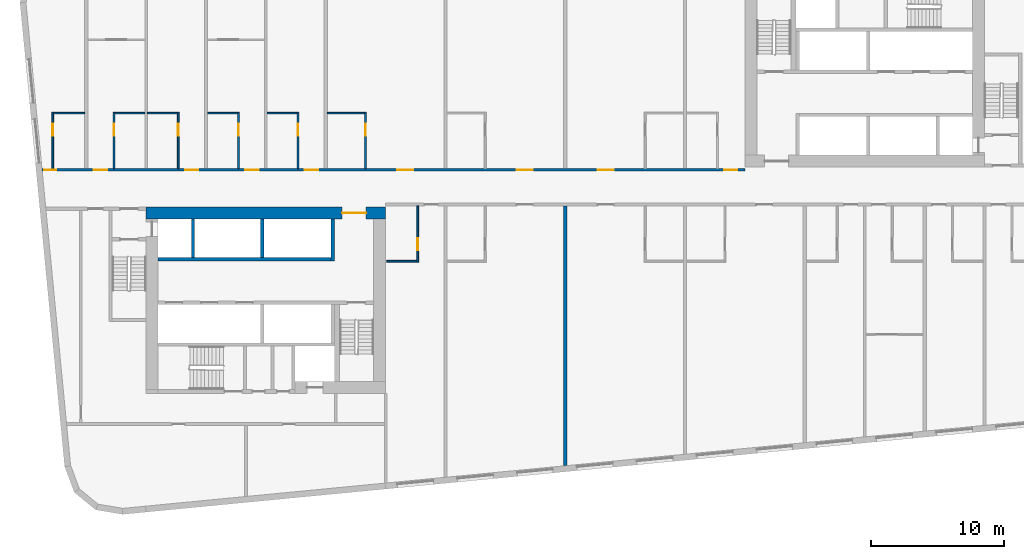
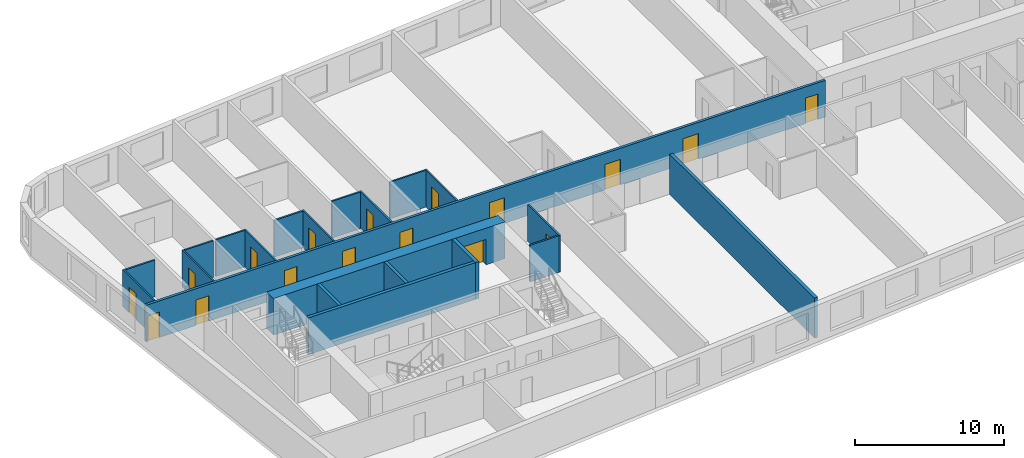
# One storey, part 3 of 12: 21 walls, 17 doors, 17 openings.
"""IFC4 building model written with IfcOpenShell, lengths in metres."""

from ifc_helpers import new_model, si_unit, direction, frame, frame_2d, origin, place, context, subcontext, project, spatial, rectangle, extrude, material, layer, layer_set, type_object, element, fill, save


model = new_model("IFC4")

# Units and contexts
model_context = context("Model", 3, precision=1e-05, world=origin(), true_north=direction((0.0, 1.0)))
body_context = subcontext(model_context, "Body", "Model", "MODEL_VIEW")
ifc_project = project(units=[si_unit("LENGTHUNIT", "METRE"), si_unit("AREAUNIT", "SQUARE_METRE"), si_unit("VOLUMEUNIT", "CUBIC_METRE"), si_unit("PLANEANGLEUNIT", "RADIAN"), si_unit("MASSUNIT", "GRAM", prefix="KILO")], contexts=[model_context])

# Site, building, storey
site_placement = place(None, origin())
site = spatial("IfcSite", under=ifc_project, at=site_placement, CompositionType="ELEMENT")
building_placement = place(site_placement, origin())
building = spatial("IfcBuilding", under=site, at=building_placement, Name="Kajstack Hotel Tower", CompositionType="ELEMENT")
storey_placement = place(building_placement, frame((0.0, 0.0, 127.300048828125)))
storey = spatial("IfcBuildingStorey", under=building, at=storey_placement, Name="L28", CompositionType="ELEMENT", Elevation=127.300048828125)

# Wall, opening, door
ifc_material_1 = material(Name="Concrete C60/75", Category="concrete")
ifc_layer_1 = layer(ifc_material_1, 0.89990234375)
ifc_layer_set_1 = layer_set([ifc_layer_1], Name="Core wall 900")
wall_type_1 = type_object("IfcWallType", Name="Core wall 900", PredefinedType="SHEAR", material=ifc_layer_set_1)
wall_1_placement = place(storey_placement, frame((-31.5, -1.949951171875, 0.0), z_axis=(0.0, 0.0, 1.0), x_axis=(1.0, 0.0, 0.0)))
wall_1 = element("IfcWall", 1, at=wall_1_placement, inside=storey, type_object=wall_type_1, Name="Core wall W RN", PredefinedType="SHEAR", context=body_context, shape_type="SweptSolid", body=[
    extrude(rectangle(XDim=18.0, YDim=0.89990234375, at=frame_2d((9.0, 0.0))), origin(), (0.0, 0.0, 1.0), 3.02001953125),
])
opening_1_placement = place(wall_1_placement, frame((14.72509765625, 0.0, 0.0)))
opening_1 = element("IfcOpeningElement", 2, at=opening_1_placement, cuts=wall_1, Name="Opening 28W06", PredefinedType="OPENING", context=body_context, shape_type="SweptSolid", body=[
    extrude(rectangle(XDim=1.800048828125, YDim=2.10009765625, at=frame_2d((0.89990234375, 1.050048828125))), frame((0.0, 0.4599609375, 0.0), z_axis=(0.0, -1.0, 0.0), x_axis=(1.0, 0.0, 0.0)), (0.0, 0.0, 1.0), 0.919921875),
])
ifc_material_2 = material(Name="Glazed steel frame, fire-rated glass", Category="steel")
door_type_1 = type_object("IfcDoorType", Name="Lobby double door 1800", OperationType="DOUBLE_DOOR_DOUBLE_SWING", PredefinedType="DOOR", material=ifc_material_2)
door_1_placement = place(opening_1_placement, origin())
door_1 = element("IfcDoor", 3, at=door_1_placement, inside=storey, type_object=door_type_1, Name="Door 28W06", OperationType="DOUBLE_DOOR_DOUBLE_SWING", OverallHeight=2.10009765625, OverallWidth=1.800048828125, PredefinedType="DOOR", context=body_context, shape_type="SweptSolid", body=[
    extrude(rectangle(XDim=1.800048828125, YDim=2.10009765625, at=frame_2d((0.89990234375, 1.050048828125))), frame((0.0, 0.02490234375, 0.0), z_axis=(0.0, -1.0, 0.0), x_axis=(1.0, 0.0, 0.0)), (0.0, 0.0, 1.0), 0.050048828125),
])
fill(opening_1, door_1)

# Wall, openings, doors
ifc_material_3 = material(Name="Gypsum board on steel studs, mineral wool", Category="steel")
ifc_layer_2 = layer(ifc_material_3, 0.199951171875)
ifc_layer_set_2 = layer_set([ifc_layer_2], Name="Corridor wall 200")
wall_type_2 = type_object("IfcWallType", Name="Corridor wall 200", PredefinedType="PARTITIONING", material=ifc_layer_set_2)
wall_2_placement = place(storey_placement, frame((-39.31591796875, 1.300048828125, 0.0), z_axis=(0.0, 0.0, 1.0), x_axis=(1.0, 0.0, 0.0)))
wall_2 = element("IfcWall", 4, at=wall_2_placement, inside=storey, type_object=wall_type_2, Name="G-wall-L28-003", PredefinedType="PARTITIONING", context=body_context, shape_type="SweptSolid", body=[
    extrude(rectangle(XDim=52.81591796875, YDim=0.199951171875, at=frame_2d((26.407958984375, 0.0))), origin(), (0.0, 0.0, 1.0), 3.02001953125),
])
opening_2_placement = place(wall_2_placement, frame((0.14990234375, 0.0, 0.0)))
opening_2 = element("IfcOpeningElement", 5, at=opening_2_placement, cuts=wall_2, Name="Opening 28001", PredefinedType="OPENING", context=body_context, shape_type="SweptSolid", body=[
    extrude(rectangle(XDim=0.89990234375, YDim=2.10009765625, at=frame_2d((0.449951171875, 1.050048828125))), frame((0.0, 0.10986328125, 0.0), z_axis=(0.0, -1.0, 0.0), x_axis=(1.0, 0.0, 0.0)), (0.0, 0.0, 1.0), 0.219970703125),
])
opening_3_placement = place(wall_2_placement, frame((3.89111328125, 0.0, 0.0)))
opening_3 = element("IfcOpeningElement", 6, at=opening_3_placement, cuts=wall_2, Name="Opening 28003", PredefinedType="OPENING", context=body_context, shape_type="SweptSolid", body=[
    extrude(rectangle(XDim=1.0, YDim=2.10009765625, at=frame_2d((0.5, 1.050048828125))), frame((0.0, 0.10986328125, 0.0), z_axis=(0.0, -1.0, 0.0), x_axis=(1.0, 0.0, 0.0)), (0.0, 0.0, 1.0), 0.219970703125),
])
opening_4_placement = place(wall_2_placement, frame((10.740966796875, 0.0, 0.0)))
opening_4 = element("IfcOpeningElement", 7, at=opening_4_placement, cuts=wall_2, Name="Opening 28006", PredefinedType="OPENING", context=body_context, shape_type="SweptSolid", body=[
    extrude(rectangle(XDim=1.0, YDim=2.10009765625, at=frame_2d((0.5, 1.050048828125))), frame((0.0, 0.10986328125, 0.0), z_axis=(0.0, -1.0, 0.0), x_axis=(1.0, 0.0, 0.0)), (0.0, 0.0, 1.0), 0.219970703125),
])
opening_5_placement = place(wall_2_placement, frame((15.26611328125, 0.0, 0.0)))
opening_5 = element("IfcOpeningElement", 8, at=opening_5_placement, cuts=wall_2, Name="Opening 28008", PredefinedType="OPENING", context=body_context, shape_type="SweptSolid", body=[
    extrude(rectangle(XDim=1.0, YDim=2.10009765625, at=frame_2d((0.5, 1.050048828125))), frame((0.0, 0.10986328125, 0.0), z_axis=(0.0, -1.0, 0.0), x_axis=(1.0, 0.0, 0.0)), (0.0, 0.0, 1.0), 0.219970703125),
])
opening_6_placement = place(wall_2_placement, frame((19.740966796875, 0.0, 0.0)))
opening_6 = element("IfcOpeningElement", 9, at=opening_6_placement, cuts=wall_2, Name="Opening 28011", PredefinedType="OPENING", context=body_context, shape_type="SweptSolid", body=[
    extrude(rectangle(XDim=1.0, YDim=2.10009765625, at=frame_2d((0.5, 1.050048828125))), frame((0.0, 0.10986328125, 0.0), z_axis=(0.0, -1.0, 0.0), x_axis=(1.0, 0.0, 0.0)), (0.0, 0.0, 1.0), 0.219970703125),
])
opening_7_placement = place(wall_2_placement, frame((26.677978515625, 0.0, 0.0)))
opening_7 = element("IfcOpeningElement", 10, at=opening_7_placement, cuts=wall_2, Name="Opening 28013", PredefinedType="OPENING", context=body_context, shape_type="SweptSolid", body=[
    extrude(rectangle(XDim=1.199951171875, YDim=2.10009765625, at=frame_2d((0.60009765625, 1.050048828125))), frame((0.0, 0.10986328125, 0.0), z_axis=(0.0, -1.0, 0.0), x_axis=(1.0, 0.0, 0.0)), (0.0, 0.0, 1.0), 0.219970703125),
])
opening_8_placement = place(wall_2_placement, frame((35.677978515625, 0.0, 0.0)))
opening_8 = element("IfcOpeningElement", 11, at=opening_8_placement, cuts=wall_2, Name="Opening 28015", PredefinedType="OPENING", context=body_context, shape_type="SweptSolid", body=[
    extrude(rectangle(XDim=1.199951171875, YDim=2.10009765625, at=frame_2d((0.60009765625, 1.050048828125))), frame((0.0, 0.10986328125, 0.0), z_axis=(0.0, -1.0, 0.0), x_axis=(1.0, 0.0, 0.0)), (0.0, 0.0, 1.0), 0.219970703125),
])
opening_9_placement = place(wall_2_placement, frame((41.75390625, 0.0, 0.0)))
opening_9 = element("IfcOpeningElement", 12, at=opening_9_placement, cuts=wall_2, Name="Opening 28017", PredefinedType="OPENING", context=body_context, shape_type="SweptSolid", body=[
    extrude(rectangle(XDim=1.199951171875, YDim=2.10009765625, at=frame_2d((0.60009765625, 1.050048828125))), frame((0.0, 0.10986328125, 0.0), z_axis=(0.0, -1.0, 0.0), x_axis=(1.0, 0.0, 0.0)), (0.0, 0.0, 1.0), 0.219970703125),
])
opening_10_placement = place(wall_2_placement, frame((51.240966796875, 0.0, 0.0)))
opening_10 = element("IfcOpeningElement", 13, at=opening_10_placement, cuts=wall_2, Name="Opening 28019", PredefinedType="OPENING", context=body_context, shape_type="SweptSolid", body=[
    extrude(rectangle(XDim=1.0, YDim=2.10009765625, at=frame_2d((0.5, 1.050048828125))), frame((0.0, 0.10986328125, 0.0), z_axis=(0.0, -1.0, 0.0), x_axis=(1.0, 0.0, 0.0)), (0.0, 0.0, 1.0), 0.219970703125),
])
ifc_material_4 = material(Name="Oak veneer on timber core, fire-rated leaf", Category="wood")
door_type_2 = type_object("IfcDoorType", Name="Flat entrance door 1000", OperationType="SINGLE_SWING_LEFT", PredefinedType="DOOR", material=ifc_material_4)
door_2_placement = place(opening_3_placement, origin())
door_2 = element("IfcDoor", 14, at=door_2_placement, inside=storey, type_object=door_type_2, Name="G-door-L28-03", OperationType="SINGLE_SWING_LEFT", OverallHeight=2.10009765625, OverallWidth=1.0, PredefinedType="DOOR", context=body_context, shape_type="SweptSolid", body=[
    extrude(rectangle(XDim=1.0, YDim=2.10009765625, at=frame_2d((0.5, 1.050048828125))), frame((0.0, 0.02490234375, 0.0), z_axis=(0.0, -1.0, 0.0), x_axis=(1.0, 0.0, 0.0)), (0.0, 0.0, 1.0), 0.050048828125),
])
fill(opening_3, door_2)
door_3_placement = place(opening_4_placement, origin())
door_3 = element("IfcDoor", 15, at=door_3_placement, inside=storey, type_object=door_type_2, Name="G-door-L28-06", OperationType="SINGLE_SWING_LEFT", OverallHeight=2.10009765625, OverallWidth=1.0, PredefinedType="DOOR", context=body_context, shape_type="SweptSolid", body=[
    extrude(rectangle(XDim=1.0, YDim=2.10009765625, at=frame_2d((0.5, 1.050048828125))), frame((0.0, 0.02490234375, 0.0), z_axis=(0.0, -1.0, 0.0), x_axis=(1.0, 0.0, 0.0)), (0.0, 0.0, 1.0), 0.050048828125),
])
fill(opening_4, door_3)
door_4_placement = place(opening_5_placement, origin())
door_4 = element("IfcDoor", 16, at=door_4_placement, inside=storey, type_object=door_type_2, Name="G-door-L28-08", OperationType="SINGLE_SWING_RIGHT", OverallHeight=2.10009765625, OverallWidth=1.0, PredefinedType="DOOR", context=body_context, shape_type="SweptSolid", body=[
    extrude(rectangle(XDim=1.0, YDim=2.10009765625, at=frame_2d((0.5, 1.050048828125))), frame((0.0, 0.02490234375, 0.0), z_axis=(0.0, -1.0, 0.0), x_axis=(1.0, 0.0, 0.0)), (0.0, 0.0, 1.0), 0.050048828125),
])
fill(opening_5, door_4)
door_5_placement = place(opening_6_placement, origin())
door_5 = element("IfcDoor", 17, at=door_5_placement, inside=storey, type_object=door_type_2, Name="G-door-L28-11", OperationType="SINGLE_SWING_RIGHT", OverallHeight=2.10009765625, OverallWidth=1.0, PredefinedType="DOOR", context=body_context, shape_type="SweptSolid", body=[
    extrude(rectangle(XDim=1.0, YDim=2.10009765625, at=frame_2d((0.5, 1.050048828125))), frame((0.0, 0.02490234375, 0.0), z_axis=(0.0, -1.0, 0.0), x_axis=(1.0, 0.0, 0.0)), (0.0, 0.0, 1.0), 0.050048828125),
])
fill(opening_6, door_5)
door_6_placement = place(opening_10_placement, origin())
door_6 = element("IfcDoor", 18, at=door_6_placement, inside=storey, type_object=door_type_2, Name="G-door-L28-19", OperationType="SINGLE_SWING_RIGHT", OverallHeight=2.10009765625, OverallWidth=1.0, PredefinedType="DOOR", context=body_context, shape_type="SweptSolid", body=[
    extrude(rectangle(XDim=1.0, YDim=2.10009765625, at=frame_2d((0.5, 1.050048828125))), frame((0.0, 0.02490234375, 0.0), z_axis=(0.0, -1.0, 0.0), x_axis=(1.0, 0.0, 0.0)), (0.0, 0.0, 1.0), 0.050048828125),
])
fill(opening_10, door_6)
door_type_3 = type_object("IfcDoorType", Name="Flat entrance door 1200", OperationType="SINGLE_SWING_LEFT", PredefinedType="DOOR", material=ifc_material_4)
door_7_placement = place(opening_7_placement, origin())
door_7 = element("IfcDoor", 19, at=door_7_placement, inside=storey, type_object=door_type_3, Name="G-door-L28-13", OperationType="SINGLE_SWING_RIGHT", OverallHeight=2.10009765625, OverallWidth=1.199951171875, PredefinedType="DOOR", context=body_context, shape_type="SweptSolid", body=[
    extrude(rectangle(XDim=1.199951171875, YDim=2.10009765625, at=frame_2d((0.60009765625, 1.050048828125))), frame((0.0, 0.02490234375, 0.0), z_axis=(0.0, -1.0, 0.0), x_axis=(1.0, 0.0, 0.0)), (0.0, 0.0, 1.0), 0.050048828125),
])
fill(opening_7, door_7)
door_8_placement = place(opening_8_placement, origin())
door_8 = element("IfcDoor", 20, at=door_8_placement, inside=storey, type_object=door_type_3, Name="G-door-L28-15", OperationType="SINGLE_SWING_LEFT", OverallHeight=2.10009765625, OverallWidth=1.199951171875, PredefinedType="DOOR", context=body_context, shape_type="SweptSolid", body=[
    extrude(rectangle(XDim=1.199951171875, YDim=2.10009765625, at=frame_2d((0.60009765625, 1.050048828125))), frame((0.0, 0.02490234375, 0.0), z_axis=(0.0, -1.0, 0.0), x_axis=(1.0, 0.0, 0.0)), (0.0, 0.0, 1.0), 0.050048828125),
])
fill(opening_8, door_8)
door_9_placement = place(opening_9_placement, origin())
door_9 = element("IfcDoor", 21, at=door_9_placement, inside=storey, type_object=door_type_3, Name="G-door-L28-17", OperationType="SINGLE_SWING_RIGHT", OverallHeight=2.10009765625, OverallWidth=1.199951171875, PredefinedType="DOOR", context=body_context, shape_type="SweptSolid", body=[
    extrude(rectangle(XDim=1.199951171875, YDim=2.10009765625, at=frame_2d((0.60009765625, 1.050048828125))), frame((0.0, 0.02490234375, 0.0), z_axis=(0.0, -1.0, 0.0), x_axis=(1.0, 0.0, 0.0)), (0.0, 0.0, 1.0), 0.050048828125),
])
fill(opening_9, door_9)
ifc_material_5 = material(Name="Painted timber door leaf", Category="wood")
door_type_4 = type_object("IfcDoorType", Name="Room door 900", OperationType="SINGLE_SWING_LEFT", PredefinedType="DOOR", material=ifc_material_5)
door_10_placement = place(opening_2_placement, origin())
door_10 = element("IfcDoor", 22, at=door_10_placement, inside=storey, type_object=door_type_4, Name="G-door-L28-01", OperationType="SINGLE_SWING_LEFT", OverallHeight=2.10009765625, OverallWidth=0.89990234375, PredefinedType="DOOR", context=body_context, shape_type="SweptSolid", body=[
    extrude(rectangle(XDim=0.89990234375, YDim=2.10009765625, at=frame_2d((0.449951171875, 1.050048828125))), frame((0.0, 0.02490234375, 0.0), z_axis=(0.0, -1.0, 0.0), x_axis=(1.0, 0.0, 0.0)), (0.0, 0.0, 1.0), 0.050048828125),
])
fill(opening_2, door_10)

# Wall, opening, door
ifc_material_6 = material(Name="Gypsum board and tiled backer on steel studs", Category="steel")
ifc_layer_3 = layer(ifc_material_6, 0.125)
ifc_layer_set_3 = layer_set([ifc_layer_3], Name="En-suite wall 125")
wall_type_3 = type_object("IfcWallType", Name="En-suite wall 125", PredefinedType="PARTITIONING", material=ifc_layer_set_3)
wall_3_placement = place(storey_placement, frame((-38.51904296875, 1.39990234375, 0.0), z_axis=(0.0, 0.0, 1.0), x_axis=(0.0, 1.0, 0.0)))
wall_3 = element("IfcWall", 23, at=wall_3_placement, inside=storey, type_object=wall_type_3, Name="G-wall-L28-004", PredefinedType="PARTITIONING", context=body_context, shape_type="SweptSolid", body=[
    extrude(rectangle(XDim=4.22509765625, YDim=0.125, at=frame_2d((2.112548828125, 0.0))), origin(), (0.0, 0.0, 1.0), 3.02001953125),
])
opening_11_placement = place(wall_3_placement, frame((2.449951171875, 0.0, 0.0)))
opening_11 = element("IfcOpeningElement", 24, at=opening_11_placement, cuts=wall_3, Name="Opening 28002", PredefinedType="OPENING", context=body_context, shape_type="SweptSolid", body=[
    extrude(rectangle(XDim=0.89990234375, YDim=2.10009765625, at=frame_2d((0.449951171875, 1.050048828125))), frame((0.0, 0.072509765625, 0.0), z_axis=(0.0, -1.0, 0.0), x_axis=(1.0, 0.0, 0.0)), (0.0, 0.0, 1.0), 0.14501953125),
])
door_11_placement = place(opening_11_placement, origin())
door_11 = element("IfcDoor", 25, at=door_11_placement, inside=storey, type_object=door_type_4, Name="G-door-L28-02", OperationType="SINGLE_SWING_RIGHT", OverallHeight=2.10009765625, OverallWidth=0.89990234375, PredefinedType="DOOR", context=body_context, shape_type="SweptSolid", body=[
    extrude(rectangle(XDim=0.89990234375, YDim=2.10009765625, at=frame_2d((0.449951171875, 1.050048828125))), frame((0.0, 0.02490234375, 0.0), z_axis=(0.0, -1.0, 0.0), x_axis=(1.0, 0.0, 0.0)), (0.0, 0.0, 1.0), 0.050048828125),
])
fill(opening_11, door_11)

# Wall
wall_4_placement = place(storey_placement, frame((-38.45703125, 5.56201171875, 0.0), z_axis=(0.0, 0.0, 1.0), x_axis=(1.0, 0.0, 0.0)))
element("IfcWall", 26, at=wall_4_placement, inside=storey, type_object=wall_type_3, Name="G-wall-L28-005", PredefinedType="PARTITIONING", context=body_context, shape_type="SweptSolid", body=[
    extrude(rectangle(XDim=2.33203125, YDim=0.125, at=frame_2d((1.166015625, 0.0))), origin(), (0.0, 0.0, 1.0), 3.02001953125),
])

# Wall, opening, door
wall_5_placement = place(storey_placement, frame((-33.9130859375, 1.39990234375, 0.0), z_axis=(0.0, 0.0, 1.0), x_axis=(0.0, 1.0, 0.0)))
wall_5 = element("IfcWall", 27, at=wall_5_placement, inside=storey, type_object=wall_type_3, Name="G-wall-L28-007", PredefinedType="PARTITIONING", context=body_context, shape_type="SweptSolid", body=[
    extrude(rectangle(XDim=4.22509765625, YDim=0.125, at=frame_2d((2.112548828125, 0.0))), origin(), (0.0, 0.0, 1.0), 3.02001953125),
])
opening_12_placement = place(wall_5_placement, frame((2.449951171875, 0.0, 0.0)))
opening_12 = element("IfcOpeningElement", 28, at=opening_12_placement, cuts=wall_5, Name="Opening 28004", PredefinedType="OPENING", context=body_context, shape_type="SweptSolid", body=[
    extrude(rectangle(XDim=0.89990234375, YDim=2.10009765625, at=frame_2d((0.449951171875, 1.050048828125))), frame((0.0, 0.072509765625, 0.0), z_axis=(0.0, -1.0, 0.0), x_axis=(1.0, 0.0, 0.0)), (0.0, 0.0, 1.0), 0.14501953125),
])
door_12_placement = place(opening_12_placement, origin())
door_12 = element("IfcDoor", 29, at=door_12_placement, inside=storey, type_object=door_type_4, Name="G-door-L28-04", OperationType="SINGLE_SWING_RIGHT", OverallHeight=2.10009765625, OverallWidth=0.89990234375, PredefinedType="DOOR", context=body_context, shape_type="SweptSolid", body=[
    extrude(rectangle(XDim=0.89990234375, YDim=2.10009765625, at=frame_2d((0.449951171875, 1.050048828125))), frame((0.0, 0.02490234375, 0.0), z_axis=(0.0, -1.0, 0.0), x_axis=(1.0, 0.0, 0.0)), (0.0, 0.0, 1.0), 0.050048828125),
])
fill(opening_12, door_12)

# Wall
wall_6_placement = place(storey_placement, frame((-33.85009765625, 5.56201171875, 0.0), z_axis=(0.0, 0.0, 1.0), x_axis=(1.0, 0.0, 0.0)))
element("IfcWall", 30, at=wall_6_placement, inside=storey, type_object=wall_type_3, Name="G-wall-L28-008", PredefinedType="PARTITIONING", context=body_context, shape_type="SweptSolid", body=[
    extrude(rectangle(XDim=2.25, YDim=0.125, at=frame_2d((1.125, 0.0))), origin(), (0.0, 0.0, 1.0), 3.02001953125),
])

# Wall, opening, door
wall_7_placement = place(storey_placement, frame((-29.0869140625, 1.39990234375, 0.0), z_axis=(0.0, 0.0, 1.0), x_axis=(0.0, 1.0, 0.0)))
wall_7 = element("IfcWall", 31, at=wall_7_placement, inside=storey, type_object=wall_type_3, Name="G-wall-L28-010", PredefinedType="PARTITIONING", context=body_context, shape_type="SweptSolid", body=[
    extrude(rectangle(XDim=4.22509765625, YDim=0.125, at=frame_2d((2.112548828125, 0.0))), origin(), (0.0, 0.0, 1.0), 3.02001953125),
])
opening_13_placement = place(wall_7_placement, frame((2.449951171875, 0.0, 0.0)))
opening_13 = element("IfcOpeningElement", 32, at=opening_13_placement, cuts=wall_7, Name="Opening 28007", PredefinedType="OPENING", context=body_context, shape_type="SweptSolid", body=[
    extrude(rectangle(XDim=0.89990234375, YDim=2.10009765625, at=frame_2d((0.449951171875, 1.050048828125))), frame((0.0, 0.072509765625, 0.0), z_axis=(0.0, -1.0, 0.0), x_axis=(1.0, 0.0, 0.0)), (0.0, 0.0, 1.0), 0.14501953125),
])
door_13_placement = place(opening_13_placement, origin())
door_13 = element("IfcDoor", 33, at=door_13_placement, inside=storey, type_object=door_type_4, Name="G-door-L28-07", OperationType="SINGLE_SWING_RIGHT", OverallHeight=2.10009765625, OverallWidth=0.89990234375, PredefinedType="DOOR", context=body_context, shape_type="SweptSolid", body=[
    extrude(rectangle(XDim=0.89990234375, YDim=2.10009765625, at=frame_2d((0.449951171875, 1.050048828125))), frame((0.0, 0.02490234375, 0.0), z_axis=(0.0, -1.0, 0.0), x_axis=(1.0, 0.0, 0.0)), (0.0, 0.0, 1.0), 0.050048828125),
])
fill(opening_13, door_13)

# Wall
wall_8_placement = place(storey_placement, frame((-31.39990234375, 5.56201171875, 0.0), z_axis=(0.0, 0.0, 1.0), x_axis=(1.0, 0.0, 0.0)))
element("IfcWall", 34, at=wall_8_placement, inside=storey, type_object=wall_type_3, Name="G-wall-L28-011", PredefinedType="PARTITIONING", context=body_context, shape_type="SweptSolid", body=[
    extrude(rectangle(XDim=2.25, YDim=0.125, at=frame_2d((1.125, 0.0))), origin(), (0.0, 0.0, 1.0), 3.02001953125),
])

# Wall, opening, door
wall_9_placement = place(storey_placement, frame((-24.56201171875, 1.39990234375, 0.0), z_axis=(0.0, 0.0, 1.0), x_axis=(0.0, 1.0, 0.0)))
wall_9 = element("IfcWall", 35, at=wall_9_placement, inside=storey, type_object=wall_type_3, Name="G-wall-L28-013", PredefinedType="PARTITIONING", context=body_context, shape_type="SweptSolid", body=[
    extrude(rectangle(XDim=4.22509765625, YDim=0.125, at=frame_2d((2.112548828125, 0.0))), origin(), (0.0, 0.0, 1.0), 3.02001953125),
])
opening_14_placement = place(wall_9_placement, frame((2.449951171875, 0.0, 0.0)))
opening_14 = element("IfcOpeningElement", 36, at=opening_14_placement, cuts=wall_9, Name="Opening 28009", PredefinedType="OPENING", context=body_context, shape_type="SweptSolid", body=[
    extrude(rectangle(XDim=0.89990234375, YDim=2.10009765625, at=frame_2d((0.449951171875, 1.050048828125))), frame((0.0, 0.072509765625, 0.0), z_axis=(0.0, -1.0, 0.0), x_axis=(1.0, 0.0, 0.0)), (0.0, 0.0, 1.0), 0.14501953125),
])
door_14_placement = place(opening_14_placement, origin())
door_14 = element("IfcDoor", 37, at=door_14_placement, inside=storey, type_object=door_type_4, Name="G-door-L28-09", OperationType="SINGLE_SWING_LEFT", OverallHeight=2.10009765625, OverallWidth=0.89990234375, PredefinedType="DOOR", context=body_context, shape_type="SweptSolid", body=[
    extrude(rectangle(XDim=0.89990234375, YDim=2.10009765625, at=frame_2d((0.449951171875, 1.050048828125))), frame((0.0, 0.02490234375, 0.0), z_axis=(0.0, -1.0, 0.0), x_axis=(1.0, 0.0, 0.0)), (0.0, 0.0, 1.0), 0.050048828125),
])
fill(opening_14, door_14)

# Wall
wall_10_placement = place(storey_placement, frame((-26.875, 5.56201171875, 0.0), z_axis=(0.0, 0.0, 1.0), x_axis=(1.0, 0.0, 0.0)))
element("IfcWall", 38, at=wall_10_placement, inside=storey, type_object=wall_type_3, Name="G-wall-L28-014", PredefinedType="PARTITIONING", context=body_context, shape_type="SweptSolid", body=[
    extrude(rectangle(XDim=2.25, YDim=0.125, at=frame_2d((1.125, 0.0))), origin(), (0.0, 0.0, 1.0), 3.02001953125),
])

# Wall, opening, door
wall_11_placement = place(storey_placement, frame((-20.0869140625, 1.39990234375, 0.0), z_axis=(0.0, 0.0, 1.0), x_axis=(0.0, 1.0, 0.0)))
wall_11 = element("IfcWall", 39, at=wall_11_placement, inside=storey, type_object=wall_type_3, Name="G-wall-L28-016", PredefinedType="PARTITIONING", context=body_context, shape_type="SweptSolid", body=[
    extrude(rectangle(XDim=4.22509765625, YDim=0.125, at=frame_2d((2.112548828125, 0.0))), origin(), (0.0, 0.0, 1.0), 3.02001953125),
])
opening_15_placement = place(wall_11_placement, frame((2.449951171875, 0.0, 0.0)))
opening_15 = element("IfcOpeningElement", 40, at=opening_15_placement, cuts=wall_11, Name="Opening 28012", PredefinedType="OPENING", context=body_context, shape_type="SweptSolid", body=[
    extrude(rectangle(XDim=0.89990234375, YDim=2.10009765625, at=frame_2d((0.449951171875, 1.050048828125))), frame((0.0, 0.072509765625, 0.0), z_axis=(0.0, -1.0, 0.0), x_axis=(1.0, 0.0, 0.0)), (0.0, 0.0, 1.0), 0.14501953125),
])
door_15_placement = place(opening_15_placement, origin())
door_15 = element("IfcDoor", 41, at=door_15_placement, inside=storey, type_object=door_type_4, Name="G-door-L28-12", OperationType="SINGLE_SWING_LEFT", OverallHeight=2.10009765625, OverallWidth=0.89990234375, PredefinedType="DOOR", context=body_context, shape_type="SweptSolid", body=[
    extrude(rectangle(XDim=0.89990234375, YDim=2.10009765625, at=frame_2d((0.449951171875, 1.050048828125))), frame((0.0, 0.02490234375, 0.0), z_axis=(0.0, -1.0, 0.0), x_axis=(1.0, 0.0, 0.0)), (0.0, 0.0, 1.0), 0.050048828125),
])
fill(opening_15, door_15)

# Wall
wall_12_placement = place(storey_placement, frame((-22.39990234375, 5.56201171875, 0.0), z_axis=(0.0, 0.0, 1.0), x_axis=(1.0, 0.0, 0.0)))
element("IfcWall", 42, at=wall_12_placement, inside=storey, type_object=wall_type_3, Name="G-wall-L28-017", PredefinedType="PARTITIONING", context=body_context, shape_type="SweptSolid", body=[
    extrude(rectangle(XDim=2.25, YDim=0.125, at=frame_2d((1.125, 0.0))), origin(), (0.0, 0.0, 1.0), 3.02001953125),
])

# Wall, opening, door
wall_13_placement = place(storey_placement, frame((-15.011962890625, 1.39990234375, 0.0), z_axis=(0.0, 0.0, 1.0), x_axis=(0.0, 1.0, 0.0)))
wall_13 = element("IfcWall", 43, at=wall_13_placement, inside=storey, type_object=wall_type_3, Name="G-wall-L28-018", PredefinedType="PARTITIONING", context=body_context, shape_type="SweptSolid", body=[
    extrude(rectangle(XDim=4.22509765625, YDim=0.125, at=frame_2d((2.112548828125, 0.0))), origin(), (0.0, 0.0, 1.0), 3.02001953125),
])
opening_16_placement = place(wall_13_placement, frame((2.449951171875, 0.0, 0.0)))
opening_16 = element("IfcOpeningElement", 44, at=opening_16_placement, cuts=wall_13, Name="Opening 28014", PredefinedType="OPENING", context=body_context, shape_type="SweptSolid", body=[
    extrude(rectangle(XDim=0.89990234375, YDim=2.10009765625, at=frame_2d((0.449951171875, 1.050048828125))), frame((0.0, 0.072509765625, 0.0), z_axis=(0.0, -1.0, 0.0), x_axis=(1.0, 0.0, 0.0)), (0.0, 0.0, 1.0), 0.14501953125),
])
door_16_placement = place(opening_16_placement, origin())
door_16 = element("IfcDoor", 45, at=door_16_placement, inside=storey, type_object=door_type_4, Name="G-door-L28-14", OperationType="SINGLE_SWING_LEFT", OverallHeight=2.10009765625, OverallWidth=0.89990234375, PredefinedType="DOOR", context=body_context, shape_type="SweptSolid", body=[
    extrude(rectangle(XDim=0.89990234375, YDim=2.10009765625, at=frame_2d((0.449951171875, 1.050048828125))), frame((0.0, 0.02490234375, 0.0), z_axis=(0.0, -1.0, 0.0), x_axis=(1.0, 0.0, 0.0)), (0.0, 0.0, 1.0), 0.050048828125),
])
fill(opening_16, door_16)

# Wall
wall_14_placement = place(storey_placement, frame((-17.875, 5.56201171875, 0.0), z_axis=(0.0, 0.0, 1.0), x_axis=(1.0, 0.0, 0.0)))
element("IfcWall", 46, at=wall_14_placement, inside=storey, type_object=wall_type_3, Name="G-wall-L28-019", PredefinedType="PARTITIONING", context=body_context, shape_type="SweptSolid", body=[
    extrude(rectangle(XDim=2.800048828125, YDim=0.125, at=frame_2d((1.39990234375, 0.0))), origin(), (0.0, 0.0, 1.0), 3.02001953125),
])

# Wall, opening, door
wall_15_placement = place(storey_placement, frame((-11.087890625, -5.625, 0.0), z_axis=(0.0, 0.0, 1.0), x_axis=(0.0, 1.0, 0.0)))
wall_15 = element("IfcWall", 47, at=wall_15_placement, inside=storey, type_object=wall_type_3, Name="G-wall-L28-027", PredefinedType="PARTITIONING", context=body_context, shape_type="SweptSolid", body=[
    extrude(rectangle(XDim=4.22509765625, YDim=0.125, at=frame_2d((2.112548828125, 0.0))), origin(), (0.0, 0.0, 1.0), 3.02001953125),
])
opening_17_placement = place(wall_15_placement, frame((0.875, 0.0, 0.0)))
opening_17 = element("IfcOpeningElement", 48, at=opening_17_placement, cuts=wall_15, Name="Opening 28022", PredefinedType="OPENING", context=body_context, shape_type="SweptSolid", body=[
    extrude(rectangle(XDim=0.89990234375, YDim=2.10009765625, at=frame_2d((0.449951171875, 1.050048828125))), frame((0.0, 0.072509765625, 0.0), z_axis=(0.0, -1.0, 0.0), x_axis=(1.0, 0.0, 0.0)), (0.0, 0.0, 1.0), 0.14501953125),
])
door_17_placement = place(opening_17_placement, origin())
door_17 = element("IfcDoor", 49, at=door_17_placement, inside=storey, type_object=door_type_4, Name="G-door-L28-22", OperationType="SINGLE_SWING_LEFT", OverallHeight=2.10009765625, OverallWidth=0.89990234375, PredefinedType="DOOR", context=body_context, shape_type="SweptSolid", body=[
    extrude(rectangle(XDim=0.89990234375, YDim=2.10009765625, at=frame_2d((0.449951171875, 1.050048828125))), frame((0.0, 0.02490234375, 0.0), z_axis=(0.0, -1.0, 0.0), x_axis=(1.0, 0.0, 0.0)), (0.0, 0.0, 1.0), 0.050048828125),
])
fill(opening_17, door_17)

# Walls
wall_16_placement = place(storey_placement, frame((-13.39990234375, -5.56201171875, 0.0), z_axis=(0.0, 0.0, 1.0), x_axis=(1.0, 0.0, 0.0)))
element("IfcWall", 50, at=wall_16_placement, inside=storey, type_object=wall_type_3, Name="G-wall-L28-028", PredefinedType="PARTITIONING", context=body_context, shape_type="SweptSolid", body=[
    extrude(rectangle(XDim=2.25, YDim=0.125, at=frame_2d((1.125, 0.0))), origin(), (0.0, 0.0, 1.0), 3.02001953125),
])
ifc_material_7 = material(Name="Concrete C50/60", Category="concrete")
ifc_layer_4 = layer(ifc_material_7, 0.300048828125)
ifc_layer_set_4 = layer_set([ifc_layer_4], Name="Hoistway divider wall 300")
wall_type_4 = type_object("IfcWallType", Name="Hoistway divider wall 300", PredefinedType="SHEAR", material=ifc_layer_set_4)
wall_17_placement = place(storey_placement, frame((-22.77490234375, -5.300048828125, 0.0), z_axis=(0.0, 0.0, 1.0), x_axis=(0.0, 1.0, 0.0)))
element("IfcWall", 51, at=wall_17_placement, inside=storey, type_object=wall_type_4, Name="Core wall W AP2", PredefinedType="SHEAR", context=body_context, shape_type="SweptSolid", body=[
    extrude(rectangle(XDim=2.900146484375, YDim=0.25, at=frame_2d((1.4501953125, 0.0))), origin(), (0.0, 0.0, 1.0), 3.02001953125),
])
ifc_material_8 = material(Name="Concrete C55/67", Category="concrete")
ifc_layer_5 = layer(ifc_material_8, 0.25)
ifc_layer_set_5 = layer_set([ifc_layer_5], Name="RC cross wall 250 C55/67")
wall_type_5 = type_object("IfcWallType", Name="RC cross wall 250 C55/67", PredefinedType="SHEAR", material=ifc_layer_set_5)
wall_18_placement = place(storey_placement, frame((0.0, -20.910400390625, 0.0), z_axis=(0.0, 0.0, 1.0), x_axis=(0.0, 1.0, 0.0)))
element("IfcWall", 52, at=wall_18_placement, inside=storey, type_object=wall_type_5, Name="S-wall-L28-06", PredefinedType="SHEAR", context=body_context, shape_type="SweptSolid", body=[
    extrude(rectangle(XDim=19.510498046875, YDim=0.25, at=frame_2d((9.75537109375, 0.0))), origin(), (0.0, 0.0, 1.0), 3.300048828125),
])
ifc_layer_6 = layer(ifc_material_7, 0.25)
ifc_layer_set_6 = layer_set([ifc_layer_6], Name="Shaft wall 250")
wall_type_6 = type_object("IfcWallType", Name="Shaft wall 250", PredefinedType="SHEAR", material=ifc_layer_set_6)
wall_19_placement = place(storey_placement, frame((-30.60009765625, -5.425048828125, 0.0), z_axis=(0.0, 0.0, 1.0), x_axis=(1.0, 0.0, 0.0)))
element("IfcWall", 53, at=wall_19_placement, inside=storey, type_object=wall_type_6, Name="Core wall W FA", PredefinedType="SHEAR", context=body_context, shape_type="SweptSolid", body=[
    extrude(rectangle(XDim=13.0, YDim=0.25, at=frame_2d((6.5, 0.0))), origin(), (0.0, 0.0, 1.0), 3.02001953125),
])
wall_20_placement = place(storey_placement, frame((-17.47509765625, -5.550048828125, 0.0), z_axis=(0.0, 0.0, 1.0), x_axis=(0.0, 1.0, 0.0)))
element("IfcWall", 54, at=wall_20_placement, inside=storey, type_object=wall_type_6, Name="Core wall W AE", PredefinedType="SHEAR", context=body_context, shape_type="SweptSolid", body=[
    extrude(rectangle(XDim=3.150146484375, YDim=0.25, at=frame_2d((1.5751953125, 0.0))), origin(), (0.0, 0.0, 1.0), 3.02001953125),
])
wall_21_placement = place(storey_placement, frame((-27.97509765625, -5.300048828125, 0.0), z_axis=(0.0, 0.0, 1.0), x_axis=(0.0, 1.0, 0.0)))
element("IfcWall", 55, at=wall_21_placement, inside=storey, type_object=wall_type_6, Name="Core wall W AP0", PredefinedType="SHEAR", context=body_context, shape_type="SweptSolid", body=[
    extrude(rectangle(XDim=2.900146484375, YDim=0.25, at=frame_2d((1.4501953125, 0.0))), origin(), (0.0, 0.0, 1.0), 3.02001953125),
])

save(model, "model.ifc")
